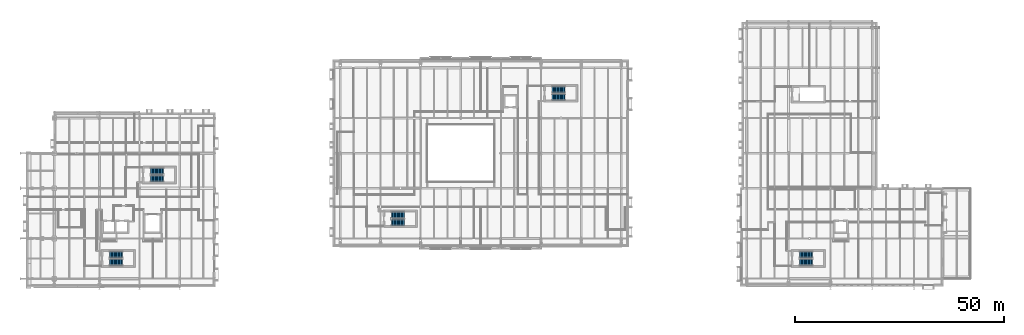
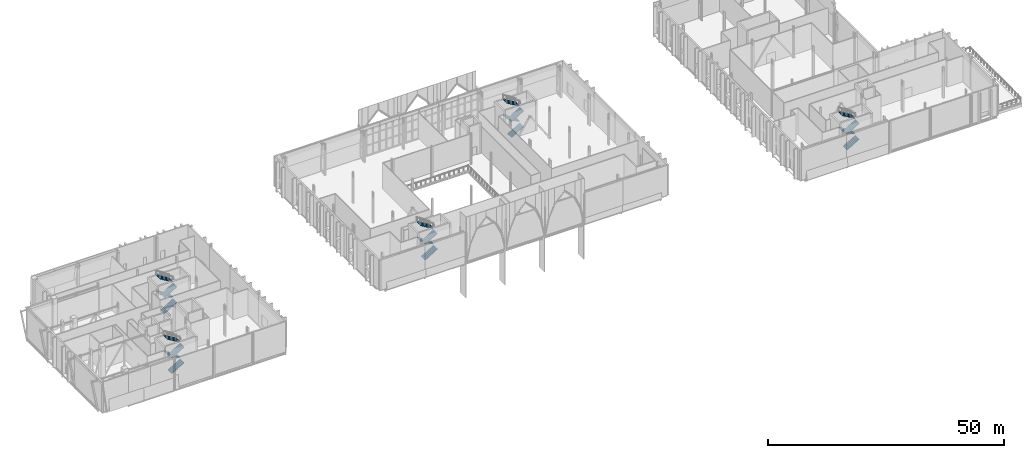
# One storey, part 63 of 79: 20 stair flights, 5 elements without a shape of their own.
"""IFC4 building model written with IfcOpenShell, lengths in metres."""

from ifc_helpers import new_model, si_unit, direction, frame, origin, place, context, subcontext, project, spatial, polyline, outline, extrude, material, type_object, element, aggregate, save


model = new_model("IFC4")

# Units and contexts
model_context = context("Model", 3, precision=1e-05, world=origin(), true_north=direction((0.0, 1.0)))
body_context = subcontext(model_context, "Body", "Model", "MODEL_VIEW")
ifc_project = project(units=[si_unit("LENGTHUNIT", "METRE"), si_unit("AREAUNIT", "SQUARE_METRE"), si_unit("VOLUMEUNIT", "CUBIC_METRE"), si_unit("PLANEANGLEUNIT", "RADIAN"), si_unit("MASSUNIT", "GRAM", prefix="KILO")], contexts=[model_context])

# Site, building, storey
site_placement = place(None, origin())
site = spatial("IfcSite", under=ifc_project, at=site_placement, CompositionType="ELEMENT")
building_placement = place(site_placement, origin())
building = spatial("IfcBuilding", under=site, at=building_placement, Name="Zereglee Splitstone Museum", CompositionType="ELEMENT")
storey_placement = place(building_placement, frame((0.0, 0.0, 9.0)))
storey = spatial("IfcBuildingStorey", under=building, at=storey_placement, Name="L02", CompositionType="ELEMENT", Elevation=9.0)

# Stair, stair flights
ifc_material = material(Name="Concrete C35/45", Category="concrete")
stair_type_1 = type_object("IfcStairType", Name="ST-01C", PredefinedType="HALF_TURN_STAIR", material=ifc_material)
stair_1_placement = place(storey_placement, origin())
stair_1 = element("IfcStair", 1, at=stair_1_placement, inside=storey, type_object=stair_type_1, Name="L02 Protected Exit Stair ST-01 C", PredefinedType="HALF_TURN_STAIR")
stair_flight_type_1 = type_object("IfcStairFlightType", Name="ST-01C", PredefinedType="STRAIGHT", material=ifc_material)
stair_flight_1_placement = place(storey_placement, frame((22.85009765625, 3.89990234375, 0.0), z_axis=(0.0, 0.0, 1.0), x_axis=(1.0, 0.0, 0.0)))
stair_flight_1 = element("IfcStairFlight", 2, at=stair_flight_1_placement, type_object=stair_flight_type_1, Name="ST-01C flight 1", NumberOfRisers=12, NumberOfTreads=11, PredefinedType="STRAIGHT", RiserHeight=0.16875, TreadLength=0.28, context=body_context, shape_type="SweptSolid", body=[
    extrude(outline(polyline([(0.0, 0.0), (0.0, 0.168701171875), (0.280029296875, 0.168701171875), (0.280029296875, 0.33740234375), (0.56005859375, 0.33740234375), (0.56005859375, 0.50634765625), (0.840087890625, 0.50634765625), (0.840087890625, 0.675048828125), (1.1201171875, 0.675048828125), (1.1201171875, 0.84375), (1.39990234375, 0.84375), (1.39990234375, 1.012451171875), (1.679931640625, 1.012451171875), (1.679931640625, 1.18115234375), (1.9599609375, 1.18115234375), (1.9599609375, 1.35009765625), (2.239990234375, 1.35009765625), (2.239990234375, 1.518798828125), (2.52001953125, 1.518798828125), (2.52001953125, 1.6875), (2.800048828125, 1.6875), (2.800048828125, 1.856201171875), (3.080078125, 1.856201171875), (3.080078125, 2.02490234375), (3.080078125, 1.66943359375), (0.309814453125, 0.0), (0.0, 0.0)])), frame((0.0, 0.800048828125, 0.0), z_axis=(0.0, -1.0, 0.0), x_axis=(1.0, 0.0, 0.0)), (0.0, 0.0, 1.0), 1.60009765625),
])
stair_flight_2_placement = place(storey_placement, frame((25.929931640625, 5.699951171875, 2.02490234375), z_axis=(0.0, 0.0, 1.0), x_axis=(-1.0, 0.0, 0.0)))
stair_flight_2 = element("IfcStairFlight", 3, at=stair_flight_2_placement, type_object=stair_flight_type_1, Name="ST-01C flight 2", NumberOfRisers=12, NumberOfTreads=11, PredefinedType="STRAIGHT", RiserHeight=0.16875, TreadLength=0.28, context=body_context, shape_type="SweptSolid", body=[
    extrude(outline(polyline([(0.0, 0.0), (0.0, 0.168701171875), (0.280029296875, 0.168701171875), (0.280029296875, 0.33740234375), (0.56005859375, 0.33740234375), (0.56005859375, 0.50634765625), (0.840087890625, 0.50634765625), (0.840087890625, 0.675048828125), (1.1201171875, 0.675048828125), (1.1201171875, 0.84375), (1.39990234375, 0.84375), (1.39990234375, 1.012451171875), (1.679931640625, 1.012451171875), (1.679931640625, 1.18115234375), (1.9599609375, 1.18115234375), (1.9599609375, 1.35009765625), (2.239990234375, 1.35009765625), (2.239990234375, 1.518798828125), (2.52001953125, 1.518798828125), (2.52001953125, 1.6875), (2.800048828125, 1.6875), (2.800048828125, 1.856201171875), (3.080078125, 1.856201171875), (3.080078125, 2.02490234375), (3.080078125, 1.66943359375), (0.309814453125, 0.0), (0.0, 0.0)])), frame((0.0, 0.800048828125, 0.0), z_axis=(0.0, -1.0, 0.0), x_axis=(1.0, 0.0, 0.0)), (0.0, 0.0, 1.0), 1.60009765625),
])
stair_flight_3_placement = place(storey_placement, frame((22.85009765625, 3.89990234375, 4.050048828125), z_axis=(0.0, 0.0, 1.0), x_axis=(1.0, 0.0, 0.0)))
stair_flight_3 = element("IfcStairFlight", 4, at=stair_flight_3_placement, type_object=stair_flight_type_1, Name="ST-01C flight 3", NumberOfRisers=12, NumberOfTreads=11, PredefinedType="STRAIGHT", RiserHeight=0.16875, TreadLength=0.28, context=body_context, shape_type="SweptSolid", body=[
    extrude(outline(polyline([(0.0, 0.0), (0.0, 0.168701171875), (0.280029296875, 0.168701171875), (0.280029296875, 0.33740234375), (0.56005859375, 0.33740234375), (0.56005859375, 0.50634765625), (0.840087890625, 0.50634765625), (0.840087890625, 0.675048828125), (1.1201171875, 0.675048828125), (1.1201171875, 0.84375), (1.39990234375, 0.84375), (1.39990234375, 1.012451171875), (1.679931640625, 1.012451171875), (1.679931640625, 1.18115234375), (1.9599609375, 1.18115234375), (1.9599609375, 1.35009765625), (2.239990234375, 1.35009765625), (2.239990234375, 1.518798828125), (2.52001953125, 1.518798828125), (2.52001953125, 1.6875), (2.800048828125, 1.6875), (2.800048828125, 1.856201171875), (3.080078125, 1.856201171875), (3.080078125, 2.02490234375), (3.080078125, 1.66943359375), (0.309814453125, 0.0), (0.0, 0.0)])), frame((0.0, 0.800048828125, 0.0), z_axis=(0.0, -1.0, 0.0), x_axis=(1.0, 0.0, 0.0)), (0.0, 0.0, 1.0), 1.60009765625),
])
stair_flight_4_placement = place(storey_placement, frame((25.929931640625, 5.699951171875, 6.074951171875), z_axis=(0.0, 0.0, 1.0), x_axis=(-1.0, 0.0, 0.0)))
stair_flight_4 = element("IfcStairFlight", 5, at=stair_flight_4_placement, type_object=stair_flight_type_1, Name="ST-01C flight 4", NumberOfRisers=12, NumberOfTreads=11, PredefinedType="STRAIGHT", RiserHeight=0.16875, TreadLength=0.28, context=body_context, shape_type="SweptSolid", body=[
    extrude(outline(polyline([(0.0, 0.0), (0.0, 0.168701171875), (0.280029296875, 0.168701171875), (0.280029296875, 0.33740234375), (0.56005859375, 0.33740234375), (0.56005859375, 0.50634765625), (0.840087890625, 0.50634765625), (0.840087890625, 0.675048828125), (1.1201171875, 0.675048828125), (1.1201171875, 0.84375), (1.39990234375, 0.84375), (1.39990234375, 1.012451171875), (1.679931640625, 1.012451171875), (1.679931640625, 1.18115234375), (1.9599609375, 1.18115234375), (1.9599609375, 1.35009765625), (2.239990234375, 1.35009765625), (2.239990234375, 1.518798828125), (2.52001953125, 1.518798828125), (2.52001953125, 1.6875), (2.800048828125, 1.6875), (2.800048828125, 1.856201171875), (3.080078125, 1.856201171875), (3.080078125, 2.02490234375), (3.080078125, 1.66943359375), (0.309814453125, 0.0), (0.0, 0.0)])), frame((0.0, 0.800048828125, 0.0), z_axis=(0.0, -1.0, 0.0), x_axis=(1.0, 0.0, 0.0)), (0.0, 0.0, 1.0), 1.60009765625),
])
aggregate(stair_1, [stair_flight_1, stair_flight_2, stair_flight_3, stair_flight_4])

stair_type_2 = type_object("IfcStairType", Name="ST-02C", PredefinedType="HALF_TURN_STAIR", material=ifc_material)
stair_2_placement = place(storey_placement, origin())
stair_2 = element("IfcStair", 6, at=stair_2_placement, inside=storey, type_object=stair_type_2, Name="L02 Protected Exit Stair ST-02 C", PredefinedType="HALF_TURN_STAIR")
stair_flight_type_2 = type_object("IfcStairFlightType", Name="ST-02C", PredefinedType="STRAIGHT", material=ifc_material)
stair_flight_5_placement = place(storey_placement, frame((32.64990234375, 23.89990234375, 0.0), z_axis=(0.0, 0.0, 1.0), x_axis=(1.0, 0.0, 0.0)))
stair_flight_5 = element("IfcStairFlight", 7, at=stair_flight_5_placement, type_object=stair_flight_type_2, Name="ST-02C flight 1", NumberOfRisers=12, NumberOfTreads=11, PredefinedType="STRAIGHT", RiserHeight=0.16875, TreadLength=0.28, context=body_context, shape_type="SweptSolid", body=[
    extrude(outline(polyline([(0.0, 0.0), (0.0, 0.168701171875), (0.280029296875, 0.168701171875), (0.280029296875, 0.33740234375), (0.56005859375, 0.33740234375), (0.56005859375, 0.50634765625), (0.840087890625, 0.50634765625), (0.840087890625, 0.675048828125), (1.1201171875, 0.675048828125), (1.1201171875, 0.84375), (1.39990234375, 0.84375), (1.39990234375, 1.012451171875), (1.679931640625, 1.012451171875), (1.679931640625, 1.18115234375), (1.9599609375, 1.18115234375), (1.9599609375, 1.35009765625), (2.239990234375, 1.35009765625), (2.239990234375, 1.518798828125), (2.52001953125, 1.518798828125), (2.52001953125, 1.6875), (2.800048828125, 1.6875), (2.800048828125, 1.856201171875), (3.080078125, 1.856201171875), (3.080078125, 2.02490234375), (3.080078125, 1.66943359375), (0.309814453125, 0.0), (0.0, 0.0)])), frame((0.0, 0.800048828125, 0.0), z_axis=(0.0, -1.0, 0.0), x_axis=(1.0, 0.0, 0.0)), (0.0, 0.0, 1.0), 1.60009765625),
])
stair_flight_6_placement = place(storey_placement, frame((35.72998046875, 25.699951171875, 2.02490234375), z_axis=(0.0, 0.0, 1.0), x_axis=(-1.0, 0.0, 0.0)))
stair_flight_6 = element("IfcStairFlight", 8, at=stair_flight_6_placement, type_object=stair_flight_type_2, Name="ST-02C flight 2", NumberOfRisers=12, NumberOfTreads=11, PredefinedType="STRAIGHT", RiserHeight=0.16875, TreadLength=0.28, context=body_context, shape_type="SweptSolid", body=[
    extrude(outline(polyline([(0.0, 0.0), (0.0, 0.168701171875), (0.280029296875, 0.168701171875), (0.280029296875, 0.33740234375), (0.56005859375, 0.33740234375), (0.56005859375, 0.50634765625), (0.840087890625, 0.50634765625), (0.840087890625, 0.675048828125), (1.1201171875, 0.675048828125), (1.1201171875, 0.84375), (1.39990234375, 0.84375), (1.39990234375, 1.012451171875), (1.679931640625, 1.012451171875), (1.679931640625, 1.18115234375), (1.9599609375, 1.18115234375), (1.9599609375, 1.35009765625), (2.239990234375, 1.35009765625), (2.239990234375, 1.518798828125), (2.52001953125, 1.518798828125), (2.52001953125, 1.6875), (2.800048828125, 1.6875), (2.800048828125, 1.856201171875), (3.080078125, 1.856201171875), (3.080078125, 2.02490234375), (3.080078125, 1.66943359375), (0.309814453125, 0.0), (0.0, 0.0)])), frame((0.0, 0.800048828125, 0.0), z_axis=(0.0, -1.0, 0.0), x_axis=(1.0, 0.0, 0.0)), (0.0, 0.0, 1.0), 1.60009765625),
])
stair_flight_7_placement = place(storey_placement, frame((32.64990234375, 23.89990234375, 4.050048828125), z_axis=(0.0, 0.0, 1.0), x_axis=(1.0, 0.0, 0.0)))
stair_flight_7 = element("IfcStairFlight", 9, at=stair_flight_7_placement, type_object=stair_flight_type_2, Name="ST-02C flight 3", NumberOfRisers=12, NumberOfTreads=11, PredefinedType="STRAIGHT", RiserHeight=0.16875, TreadLength=0.28, context=body_context, shape_type="SweptSolid", body=[
    extrude(outline(polyline([(0.0, 0.0), (0.0, 0.168701171875), (0.280029296875, 0.168701171875), (0.280029296875, 0.33740234375), (0.56005859375, 0.33740234375), (0.56005859375, 0.50634765625), (0.840087890625, 0.50634765625), (0.840087890625, 0.675048828125), (1.1201171875, 0.675048828125), (1.1201171875, 0.84375), (1.39990234375, 0.84375), (1.39990234375, 1.012451171875), (1.679931640625, 1.012451171875), (1.679931640625, 1.18115234375), (1.9599609375, 1.18115234375), (1.9599609375, 1.35009765625), (2.239990234375, 1.35009765625), (2.239990234375, 1.518798828125), (2.52001953125, 1.518798828125), (2.52001953125, 1.6875), (2.800048828125, 1.6875), (2.800048828125, 1.856201171875), (3.080078125, 1.856201171875), (3.080078125, 2.02490234375), (3.080078125, 1.66943359375), (0.309814453125, 0.0), (0.0, 0.0)])), frame((0.0, 0.800048828125, 0.0), z_axis=(0.0, -1.0, 0.0), x_axis=(1.0, 0.0, 0.0)), (0.0, 0.0, 1.0), 1.60009765625),
])
stair_flight_8_placement = place(storey_placement, frame((35.72998046875, 25.699951171875, 6.074951171875), z_axis=(0.0, 0.0, 1.0), x_axis=(-1.0, 0.0, 0.0)))
stair_flight_8 = element("IfcStairFlight", 10, at=stair_flight_8_placement, type_object=stair_flight_type_2, Name="ST-02C flight 4", NumberOfRisers=12, NumberOfTreads=11, PredefinedType="STRAIGHT", RiserHeight=0.16875, TreadLength=0.28, context=body_context, shape_type="SweptSolid", body=[
    extrude(outline(polyline([(0.0, 0.0), (0.0, 0.168701171875), (0.280029296875, 0.168701171875), (0.280029296875, 0.33740234375), (0.56005859375, 0.33740234375), (0.56005859375, 0.50634765625), (0.840087890625, 0.50634765625), (0.840087890625, 0.675048828125), (1.1201171875, 0.675048828125), (1.1201171875, 0.84375), (1.39990234375, 0.84375), (1.39990234375, 1.012451171875), (1.679931640625, 1.012451171875), (1.679931640625, 1.18115234375), (1.9599609375, 1.18115234375), (1.9599609375, 1.35009765625), (2.239990234375, 1.35009765625), (2.239990234375, 1.518798828125), (2.52001953125, 1.518798828125), (2.52001953125, 1.6875), (2.800048828125, 1.6875), (2.800048828125, 1.856201171875), (3.080078125, 1.856201171875), (3.080078125, 2.02490234375), (3.080078125, 1.66943359375), (0.309814453125, 0.0), (0.0, 0.0)])), frame((0.0, 0.800048828125, 0.0), z_axis=(0.0, -1.0, 0.0), x_axis=(1.0, 0.0, 0.0)), (0.0, 0.0, 1.0), 1.60009765625),
])
aggregate(stair_2, [stair_flight_5, stair_flight_6, stair_flight_7, stair_flight_8])

stair_type_3 = type_object("IfcStairType", Name="ST-03C", PredefinedType="HALF_TURN_STAIR", material=ifc_material)
stair_3_placement = place(storey_placement, origin())
stair_3 = element("IfcStair", 11, at=stair_3_placement, inside=storey, type_object=stair_type_3, Name="L02 Protected Exit Stair ST-03 C", PredefinedType="HALF_TURN_STAIR")
stair_flight_type_3 = type_object("IfcStairFlightType", Name="ST-03C", PredefinedType="STRAIGHT", material=ifc_material)
stair_flight_9_placement = place(storey_placement, frame((128.64990234375, 43.39990234375, 0.0), z_axis=(0.0, 0.0, 1.0), x_axis=(1.0, 0.0, 0.0)))
stair_flight_9 = element("IfcStairFlight", 12, at=stair_flight_9_placement, type_object=stair_flight_type_3, Name="ST-03C flight 1", NumberOfRisers=12, NumberOfTreads=11, PredefinedType="STRAIGHT", RiserHeight=0.16875, TreadLength=0.28, context=body_context, shape_type="SweptSolid", body=[
    extrude(outline(polyline([(0.0, 0.0), (0.0, 0.168701171875), (0.280029296875, 0.168701171875), (0.280029296875, 0.33740234375), (0.56005859375, 0.33740234375), (0.56005859375, 0.50634765625), (0.840087890625, 0.50634765625), (0.840087890625, 0.675048828125), (1.1201171875, 0.675048828125), (1.1201171875, 0.84375), (1.39990234375, 0.84375), (1.39990234375, 1.012451171875), (1.679931640625, 1.012451171875), (1.679931640625, 1.18115234375), (1.9599609375, 1.18115234375), (1.9599609375, 1.35009765625), (2.239990234375, 1.35009765625), (2.239990234375, 1.518798828125), (2.52001953125, 1.518798828125), (2.52001953125, 1.6875), (2.800048828125, 1.6875), (2.800048828125, 1.856201171875), (3.080078125, 1.856201171875), (3.080078125, 2.02490234375), (3.080078125, 1.66943359375), (0.309814453125, 0.0), (0.0, 0.0)])), frame((0.0, 0.800048828125, 0.0), z_axis=(0.0, -1.0, 0.0), x_axis=(1.0, 0.0, 0.0)), (0.0, 0.0, 1.0), 1.60009765625),
])
stair_flight_10_placement = place(storey_placement, frame((131.72998046875, 45.199951171875, 2.02490234375), z_axis=(0.0, 0.0, 1.0), x_axis=(-1.0, 0.0, 0.0)))
stair_flight_10 = element("IfcStairFlight", 13, at=stair_flight_10_placement, type_object=stair_flight_type_3, Name="ST-03C flight 2", NumberOfRisers=12, NumberOfTreads=11, PredefinedType="STRAIGHT", RiserHeight=0.16875, TreadLength=0.28, context=body_context, shape_type="SweptSolid", body=[
    extrude(outline(polyline([(0.0, 0.0), (0.0, 0.168701171875), (0.280029296875, 0.168701171875), (0.280029296875, 0.33740234375), (0.56005859375, 0.33740234375), (0.56005859375, 0.50634765625), (0.840087890625, 0.50634765625), (0.840087890625, 0.675048828125), (1.1201171875, 0.675048828125), (1.1201171875, 0.84375), (1.39990234375, 0.84375), (1.39990234375, 1.012451171875), (1.679931640625, 1.012451171875), (1.679931640625, 1.18115234375), (1.9599609375, 1.18115234375), (1.9599609375, 1.35009765625), (2.239990234375, 1.35009765625), (2.239990234375, 1.518798828125), (2.52001953125, 1.518798828125), (2.52001953125, 1.6875), (2.800048828125, 1.6875), (2.800048828125, 1.856201171875), (3.080078125, 1.856201171875), (3.080078125, 2.02490234375), (3.080078125, 1.66943359375), (0.309814453125, 0.0), (0.0, 0.0)])), frame((0.0, 0.800048828125, 0.0), z_axis=(0.0, -1.0, 0.0), x_axis=(1.0, 0.0, 0.0)), (0.0, 0.0, 1.0), 1.60009765625),
])
stair_flight_11_placement = place(storey_placement, frame((128.64990234375, 43.39990234375, 4.050048828125), z_axis=(0.0, 0.0, 1.0), x_axis=(1.0, 0.0, 0.0)))
stair_flight_11 = element("IfcStairFlight", 14, at=stair_flight_11_placement, type_object=stair_flight_type_3, Name="ST-03C flight 3", NumberOfRisers=12, NumberOfTreads=11, PredefinedType="STRAIGHT", RiserHeight=0.16875, TreadLength=0.28, context=body_context, shape_type="SweptSolid", body=[
    extrude(outline(polyline([(0.0, 0.0), (0.0, 0.168701171875), (0.280029296875, 0.168701171875), (0.280029296875, 0.33740234375), (0.56005859375, 0.33740234375), (0.56005859375, 0.50634765625), (0.840087890625, 0.50634765625), (0.840087890625, 0.675048828125), (1.1201171875, 0.675048828125), (1.1201171875, 0.84375), (1.39990234375, 0.84375), (1.39990234375, 1.012451171875), (1.679931640625, 1.012451171875), (1.679931640625, 1.18115234375), (1.9599609375, 1.18115234375), (1.9599609375, 1.35009765625), (2.239990234375, 1.35009765625), (2.239990234375, 1.518798828125), (2.52001953125, 1.518798828125), (2.52001953125, 1.6875), (2.800048828125, 1.6875), (2.800048828125, 1.856201171875), (3.080078125, 1.856201171875), (3.080078125, 2.02490234375), (3.080078125, 1.66943359375), (0.309814453125, 0.0), (0.0, 0.0)])), frame((0.0, 0.800048828125, 0.0), z_axis=(0.0, -1.0, 0.0), x_axis=(1.0, 0.0, 0.0)), (0.0, 0.0, 1.0), 1.60009765625),
])
stair_flight_12_placement = place(storey_placement, frame((131.72998046875, 45.199951171875, 6.074951171875), z_axis=(0.0, 0.0, 1.0), x_axis=(-1.0, 0.0, 0.0)))
stair_flight_12 = element("IfcStairFlight", 15, at=stair_flight_12_placement, type_object=stair_flight_type_3, Name="ST-03C flight 4", NumberOfRisers=12, NumberOfTreads=11, PredefinedType="STRAIGHT", RiserHeight=0.16875, TreadLength=0.28, context=body_context, shape_type="SweptSolid", body=[
    extrude(outline(polyline([(0.0, 0.0), (0.0, 0.168701171875), (0.280029296875, 0.168701171875), (0.280029296875, 0.33740234375), (0.56005859375, 0.33740234375), (0.56005859375, 0.50634765625), (0.840087890625, 0.50634765625), (0.840087890625, 0.675048828125), (1.1201171875, 0.675048828125), (1.1201171875, 0.84375), (1.39990234375, 0.84375), (1.39990234375, 1.012451171875), (1.679931640625, 1.012451171875), (1.679931640625, 1.18115234375), (1.9599609375, 1.18115234375), (1.9599609375, 1.35009765625), (2.239990234375, 1.35009765625), (2.239990234375, 1.518798828125), (2.52001953125, 1.518798828125), (2.52001953125, 1.6875), (2.800048828125, 1.6875), (2.800048828125, 1.856201171875), (3.080078125, 1.856201171875), (3.080078125, 2.02490234375), (3.080078125, 1.66943359375), (0.309814453125, 0.0), (0.0, 0.0)])), frame((0.0, 0.800048828125, 0.0), z_axis=(0.0, -1.0, 0.0), x_axis=(1.0, 0.0, 0.0)), (0.0, 0.0, 1.0), 1.60009765625),
])
aggregate(stair_3, [stair_flight_9, stair_flight_10, stair_flight_11, stair_flight_12])

stair_type_4 = type_object("IfcStairType", Name="ST-04C", PredefinedType="HALF_TURN_STAIR", material=ifc_material)
stair_4_placement = place(storey_placement, origin())
stair_4 = element("IfcStair", 16, at=stair_4_placement, inside=storey, type_object=stair_type_4, Name="L02 Protected Exit Stair ST-04 C", PredefinedType="HALF_TURN_STAIR")
stair_flight_type_4 = type_object("IfcStairFlightType", Name="ST-04C", PredefinedType="STRAIGHT", material=ifc_material)
stair_flight_13_placement = place(storey_placement, frame((187.85009765625, 3.89990234375, 0.0), z_axis=(0.0, 0.0, 1.0), x_axis=(1.0, 0.0, 0.0)))
stair_flight_13 = element("IfcStairFlight", 17, at=stair_flight_13_placement, type_object=stair_flight_type_4, Name="ST-04C flight 1", NumberOfRisers=12, NumberOfTreads=11, PredefinedType="STRAIGHT", RiserHeight=0.16875, TreadLength=0.28, context=body_context, shape_type="SweptSolid", body=[
    extrude(outline(polyline([(0.0, 0.0), (0.0, 0.168701171875), (0.280029296875, 0.168701171875), (0.280029296875, 0.33740234375), (0.56005859375, 0.33740234375), (0.56005859375, 0.50634765625), (0.840087890625, 0.50634765625), (0.840087890625, 0.675048828125), (1.1201171875, 0.675048828125), (1.1201171875, 0.84375), (1.39990234375, 0.84375), (1.39990234375, 1.012451171875), (1.679931640625, 1.012451171875), (1.679931640625, 1.18115234375), (1.9599609375, 1.18115234375), (1.9599609375, 1.35009765625), (2.239990234375, 1.35009765625), (2.239990234375, 1.518798828125), (2.52001953125, 1.518798828125), (2.52001953125, 1.6875), (2.800048828125, 1.6875), (2.800048828125, 1.856201171875), (3.080078125, 1.856201171875), (3.080078125, 2.02490234375), (3.080078125, 1.66943359375), (0.309814453125, 0.0), (0.0, 0.0)])), frame((0.0, 0.800048828125, 0.0), z_axis=(0.0, -1.0, 0.0), x_axis=(1.0, 0.0, 0.0)), (0.0, 0.0, 1.0), 1.60009765625),
])
stair_flight_14_placement = place(storey_placement, frame((190.929931640625, 5.699951171875, 2.02490234375), z_axis=(0.0, 0.0, 1.0), x_axis=(-1.0, 0.0, 0.0)))
stair_flight_14 = element("IfcStairFlight", 18, at=stair_flight_14_placement, type_object=stair_flight_type_4, Name="ST-04C flight 2", NumberOfRisers=12, NumberOfTreads=11, PredefinedType="STRAIGHT", RiserHeight=0.16875, TreadLength=0.28, context=body_context, shape_type="SweptSolid", body=[
    extrude(outline(polyline([(0.0, 0.0), (0.0, 0.168701171875), (0.280029296875, 0.168701171875), (0.280029296875, 0.33740234375), (0.56005859375, 0.33740234375), (0.56005859375, 0.50634765625), (0.840087890625, 0.50634765625), (0.840087890625, 0.675048828125), (1.1201171875, 0.675048828125), (1.1201171875, 0.84375), (1.39990234375, 0.84375), (1.39990234375, 1.012451171875), (1.679931640625, 1.012451171875), (1.679931640625, 1.18115234375), (1.9599609375, 1.18115234375), (1.9599609375, 1.35009765625), (2.239990234375, 1.35009765625), (2.239990234375, 1.518798828125), (2.52001953125, 1.518798828125), (2.52001953125, 1.6875), (2.800048828125, 1.6875), (2.800048828125, 1.856201171875), (3.080078125, 1.856201171875), (3.080078125, 2.02490234375), (3.080078125, 1.66943359375), (0.309814453125, 0.0), (0.0, 0.0)])), frame((0.0, 0.800048828125, 0.0), z_axis=(0.0, -1.0, 0.0), x_axis=(1.0, 0.0, 0.0)), (0.0, 0.0, 1.0), 1.60009765625),
])
stair_flight_15_placement = place(storey_placement, frame((187.85009765625, 3.89990234375, 4.050048828125), z_axis=(0.0, 0.0, 1.0), x_axis=(1.0, 0.0, 0.0)))
stair_flight_15 = element("IfcStairFlight", 19, at=stair_flight_15_placement, type_object=stair_flight_type_4, Name="ST-04C flight 3", NumberOfRisers=12, NumberOfTreads=11, PredefinedType="STRAIGHT", RiserHeight=0.16875, TreadLength=0.28, context=body_context, shape_type="SweptSolid", body=[
    extrude(outline(polyline([(0.0, 0.0), (0.0, 0.168701171875), (0.280029296875, 0.168701171875), (0.280029296875, 0.33740234375), (0.56005859375, 0.33740234375), (0.56005859375, 0.50634765625), (0.840087890625, 0.50634765625), (0.840087890625, 0.675048828125), (1.1201171875, 0.675048828125), (1.1201171875, 0.84375), (1.39990234375, 0.84375), (1.39990234375, 1.012451171875), (1.679931640625, 1.012451171875), (1.679931640625, 1.18115234375), (1.9599609375, 1.18115234375), (1.9599609375, 1.35009765625), (2.239990234375, 1.35009765625), (2.239990234375, 1.518798828125), (2.52001953125, 1.518798828125), (2.52001953125, 1.6875), (2.800048828125, 1.6875), (2.800048828125, 1.856201171875), (3.080078125, 1.856201171875), (3.080078125, 2.02490234375), (3.080078125, 1.66943359375), (0.309814453125, 0.0), (0.0, 0.0)])), frame((0.0, 0.800048828125, 0.0), z_axis=(0.0, -1.0, 0.0), x_axis=(1.0, 0.0, 0.0)), (0.0, 0.0, 1.0), 1.60009765625),
])
stair_flight_16_placement = place(storey_placement, frame((190.929931640625, 5.699951171875, 6.074951171875), z_axis=(0.0, 0.0, 1.0), x_axis=(-1.0, 0.0, 0.0)))
stair_flight_16 = element("IfcStairFlight", 20, at=stair_flight_16_placement, type_object=stair_flight_type_4, Name="ST-04C flight 4", NumberOfRisers=12, NumberOfTreads=11, PredefinedType="STRAIGHT", RiserHeight=0.16875, TreadLength=0.28, context=body_context, shape_type="SweptSolid", body=[
    extrude(outline(polyline([(0.0, 0.0), (0.0, 0.168701171875), (0.280029296875, 0.168701171875), (0.280029296875, 0.33740234375), (0.56005859375, 0.33740234375), (0.56005859375, 0.50634765625), (0.840087890625, 0.50634765625), (0.840087890625, 0.675048828125), (1.1201171875, 0.675048828125), (1.1201171875, 0.84375), (1.39990234375, 0.84375), (1.39990234375, 1.012451171875), (1.679931640625, 1.012451171875), (1.679931640625, 1.18115234375), (1.9599609375, 1.18115234375), (1.9599609375, 1.35009765625), (2.239990234375, 1.35009765625), (2.239990234375, 1.518798828125), (2.52001953125, 1.518798828125), (2.52001953125, 1.6875), (2.800048828125, 1.6875), (2.800048828125, 1.856201171875), (3.080078125, 1.856201171875), (3.080078125, 2.02490234375), (3.080078125, 1.66943359375), (0.309814453125, 0.0), (0.0, 0.0)])), frame((0.0, 0.800048828125, 0.0), z_axis=(0.0, -1.0, 0.0), x_axis=(1.0, 0.0, 0.0)), (0.0, 0.0, 1.0), 1.60009765625),
])
aggregate(stair_4, [stair_flight_13, stair_flight_14, stair_flight_15, stair_flight_16])

stair_type_5 = type_object("IfcStairType", Name="ST-06C", PredefinedType="HALF_TURN_STAIR", material=ifc_material)
stair_5_placement = place(storey_placement, origin())
stair_5 = element("IfcStair", 21, at=stair_5_placement, inside=storey, type_object=stair_type_5, Name="L02 Protected Exit Stair ST-06 C", PredefinedType="HALF_TURN_STAIR")
stair_flight_type_5 = type_object("IfcStairFlightType", Name="ST-06C", PredefinedType="STRAIGHT", material=ifc_material)
stair_flight_17_placement = place(storey_placement, frame((90.25, 13.39990234375, 0.0), z_axis=(0.0, 0.0, 1.0), x_axis=(1.0, 0.0, 0.0)))
stair_flight_17 = element("IfcStairFlight", 22, at=stair_flight_17_placement, type_object=stair_flight_type_5, Name="ST-06C flight 1", NumberOfRisers=12, NumberOfTreads=11, PredefinedType="STRAIGHT", RiserHeight=0.16875, TreadLength=0.28, context=body_context, shape_type="SweptSolid", body=[
    extrude(outline(polyline([(0.0, 0.0), (0.0, 0.168701171875), (0.280029296875, 0.168701171875), (0.280029296875, 0.33740234375), (0.56005859375, 0.33740234375), (0.56005859375, 0.50634765625), (0.840087890625, 0.50634765625), (0.840087890625, 0.675048828125), (1.1201171875, 0.675048828125), (1.1201171875, 0.84375), (1.39990234375, 0.84375), (1.39990234375, 1.012451171875), (1.679931640625, 1.012451171875), (1.679931640625, 1.18115234375), (1.9599609375, 1.18115234375), (1.9599609375, 1.35009765625), (2.239990234375, 1.35009765625), (2.239990234375, 1.518798828125), (2.52001953125, 1.518798828125), (2.52001953125, 1.6875), (2.800048828125, 1.6875), (2.800048828125, 1.856201171875), (3.080078125, 1.856201171875), (3.080078125, 2.02490234375), (3.080078125, 1.66943359375), (0.309814453125, 0.0), (0.0, 0.0)])), frame((0.0, 0.800048828125, 0.0), z_axis=(0.0, -1.0, 0.0), x_axis=(1.0, 0.0, 0.0)), (0.0, 0.0, 1.0), 1.60009765625),
])
stair_flight_18_placement = place(storey_placement, frame((93.330078125, 15.199951171875, 2.02490234375), z_axis=(0.0, 0.0, 1.0), x_axis=(-1.0, 0.0, 0.0)))
stair_flight_18 = element("IfcStairFlight", 23, at=stair_flight_18_placement, type_object=stair_flight_type_5, Name="ST-06C flight 2", NumberOfRisers=12, NumberOfTreads=11, PredefinedType="STRAIGHT", RiserHeight=0.16875, TreadLength=0.28, context=body_context, shape_type="SweptSolid", body=[
    extrude(outline(polyline([(0.0, 0.0), (0.0, 0.168701171875), (0.280029296875, 0.168701171875), (0.280029296875, 0.33740234375), (0.56005859375, 0.33740234375), (0.56005859375, 0.50634765625), (0.840087890625, 0.50634765625), (0.840087890625, 0.675048828125), (1.1201171875, 0.675048828125), (1.1201171875, 0.84375), (1.39990234375, 0.84375), (1.39990234375, 1.012451171875), (1.679931640625, 1.012451171875), (1.679931640625, 1.18115234375), (1.9599609375, 1.18115234375), (1.9599609375, 1.35009765625), (2.239990234375, 1.35009765625), (2.239990234375, 1.518798828125), (2.52001953125, 1.518798828125), (2.52001953125, 1.6875), (2.800048828125, 1.6875), (2.800048828125, 1.856201171875), (3.080078125, 1.856201171875), (3.080078125, 2.02490234375), (3.080078125, 1.66943359375), (0.309814453125, 0.0), (0.0, 0.0)])), frame((0.0, 0.800048828125, 0.0), z_axis=(0.0, -1.0, 0.0), x_axis=(1.0, 0.0, 0.0)), (0.0, 0.0, 1.0), 1.60009765625),
])
stair_flight_19_placement = place(storey_placement, frame((90.25, 13.39990234375, 4.050048828125), z_axis=(0.0, 0.0, 1.0), x_axis=(1.0, 0.0, 0.0)))
stair_flight_19 = element("IfcStairFlight", 24, at=stair_flight_19_placement, type_object=stair_flight_type_5, Name="ST-06C flight 3", NumberOfRisers=12, NumberOfTreads=11, PredefinedType="STRAIGHT", RiserHeight=0.16875, TreadLength=0.28, context=body_context, shape_type="SweptSolid", body=[
    extrude(outline(polyline([(0.0, 0.0), (0.0, 0.168701171875), (0.280029296875, 0.168701171875), (0.280029296875, 0.33740234375), (0.56005859375, 0.33740234375), (0.56005859375, 0.50634765625), (0.840087890625, 0.50634765625), (0.840087890625, 0.675048828125), (1.1201171875, 0.675048828125), (1.1201171875, 0.84375), (1.39990234375, 0.84375), (1.39990234375, 1.012451171875), (1.679931640625, 1.012451171875), (1.679931640625, 1.18115234375), (1.9599609375, 1.18115234375), (1.9599609375, 1.35009765625), (2.239990234375, 1.35009765625), (2.239990234375, 1.518798828125), (2.52001953125, 1.518798828125), (2.52001953125, 1.6875), (2.800048828125, 1.6875), (2.800048828125, 1.856201171875), (3.080078125, 1.856201171875), (3.080078125, 2.02490234375), (3.080078125, 1.66943359375), (0.309814453125, 0.0), (0.0, 0.0)])), frame((0.0, 0.800048828125, 0.0), z_axis=(0.0, -1.0, 0.0), x_axis=(1.0, 0.0, 0.0)), (0.0, 0.0, 1.0), 1.60009765625),
])
stair_flight_20_placement = place(storey_placement, frame((93.330078125, 15.199951171875, 6.074951171875), z_axis=(0.0, 0.0, 1.0), x_axis=(-1.0, 0.0, 0.0)))
stair_flight_20 = element("IfcStairFlight", 25, at=stair_flight_20_placement, type_object=stair_flight_type_5, Name="ST-06C flight 4", NumberOfRisers=12, NumberOfTreads=11, PredefinedType="STRAIGHT", RiserHeight=0.16875, TreadLength=0.28, context=body_context, shape_type="SweptSolid", body=[
    extrude(outline(polyline([(0.0, 0.0), (0.0, 0.168701171875), (0.280029296875, 0.168701171875), (0.280029296875, 0.33740234375), (0.56005859375, 0.33740234375), (0.56005859375, 0.50634765625), (0.840087890625, 0.50634765625), (0.840087890625, 0.675048828125), (1.1201171875, 0.675048828125), (1.1201171875, 0.84375), (1.39990234375, 0.84375), (1.39990234375, 1.012451171875), (1.679931640625, 1.012451171875), (1.679931640625, 1.18115234375), (1.9599609375, 1.18115234375), (1.9599609375, 1.35009765625), (2.239990234375, 1.35009765625), (2.239990234375, 1.518798828125), (2.52001953125, 1.518798828125), (2.52001953125, 1.6875), (2.800048828125, 1.6875), (2.800048828125, 1.856201171875), (3.080078125, 1.856201171875), (3.080078125, 2.02490234375), (3.080078125, 1.66943359375), (0.309814453125, 0.0), (0.0, 0.0)])), frame((0.0, 0.800048828125, 0.0), z_axis=(0.0, -1.0, 0.0), x_axis=(1.0, 0.0, 0.0)), (0.0, 0.0, 1.0), 1.60009765625),
])
aggregate(stair_5, [stair_flight_17, stair_flight_18, stair_flight_19, stair_flight_20])

save(model, "model.ifc")
